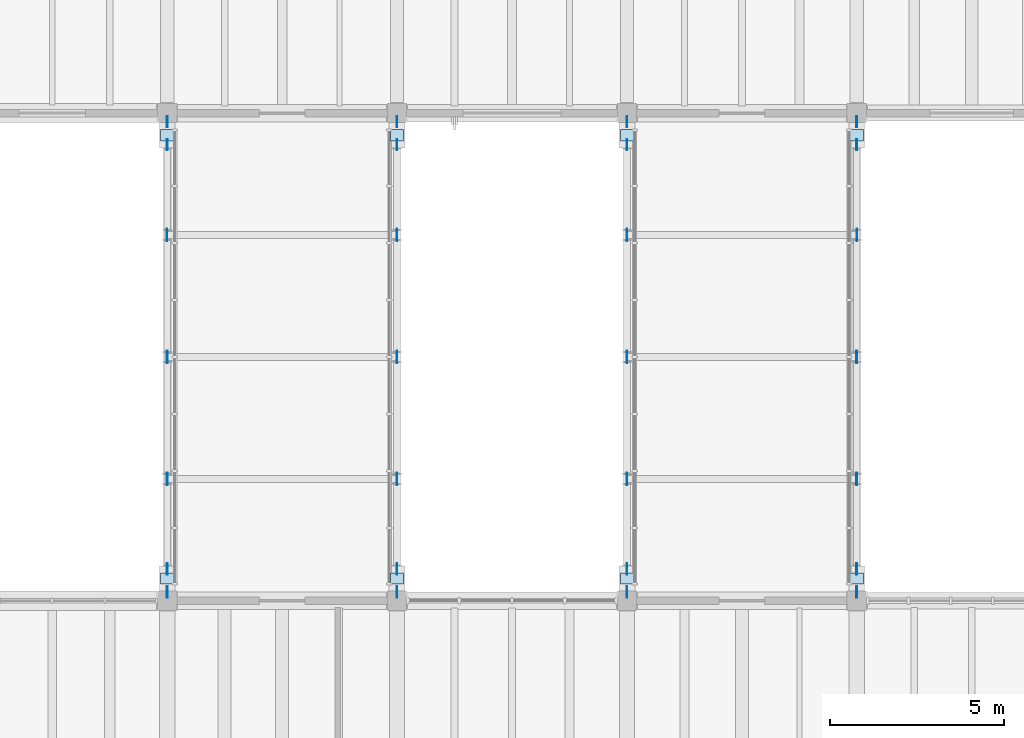
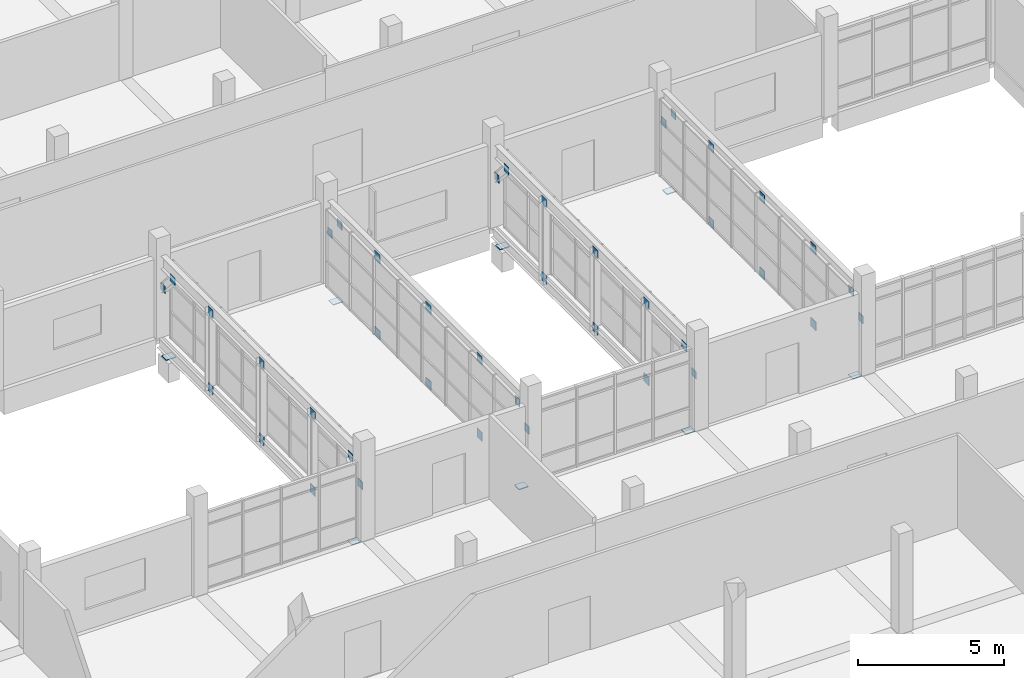
# One storey, part 47 of 67: 48 plates.
"""IFC4 building model written with IfcOpenShell, lengths in metres."""

from ifc_helpers import new_model, si_unit, direction, frame, origin, origin_2d, place, context, subcontext, project, spatial, rectangle, extrude, material, layer, layer_set, type_object, element, save


model = new_model("IFC4")

# Units and contexts
model_context = context("Model", 3, precision=1e-05, world=origin(), true_north=direction((0.0, 1.0)))
body_context = subcontext(model_context, "Body", "Model", "MODEL_VIEW")
ifc_project = project(units=[si_unit("LENGTHUNIT", "METRE"), si_unit("AREAUNIT", "SQUARE_METRE"), si_unit("VOLUMEUNIT", "CUBIC_METRE"), si_unit("PLANEANGLEUNIT", "RADIAN"), si_unit("MASSUNIT", "GRAM", prefix="KILO")], contexts=[model_context])

# Site, building, storey
site_placement = place(None, origin())
site = spatial("IfcSite", under=ifc_project, at=site_placement, CompositionType="ELEMENT")
building_placement = place(site_placement, origin())
building = spatial("IfcBuilding", under=site, at=building_placement, Name="Ciguamira Faculty of Natural Sciences", CompositionType="ELEMENT")
storey_placement = place(building_placement, frame((0.0, 0.0, 8.39990234375)))
storey = spatial("IfcBuildingStorey", under=building, at=storey_placement, Name="L02", CompositionType="ELEMENT", Elevation=8.39990234375)

# Plates
ifc_material = material(Name="Steel ASTM A572 Grade 50", Category="steel")
ifc_layer_1 = layer(ifc_material, 0.01611328125, Name="Steel ASTM A572 Grade 50")
ifc_layer_set_1 = layer_set([ifc_layer_1], Name="Steel ASTM A572 Grade 50")
plate_type_1 = type_object("IfcPlateType", Name="GussetPlate_EP-01", PredefinedType="SHEET", material=ifc_layer_set_1)
for number, where, z_axis, x_axis, name in (
    (1, (77.10009765625, 69.5, -0.3701171875), (0.0, 0.0, 1.0), (1.0, 0.0, 0.0), "Link bridge BR-1 bot gusset node plate 1-4"),
    (2, (77.10009765625, 69.5, 2.81005859375), (0.0, 0.0, 1.0), (1.0, 0.0, 0.0), "Link bridge BR-1 top gusset node plate 1-4"),
    (3, (83.699951171875, 69.5, -0.3701171875), (0.0, 0.0, 1.0), (1.0, 0.0, 0.0), "Link bridge BR-1 bot gusset node plate 2-4"),
    (4, (83.699951171875, 69.5, 2.81005859375), (0.0, 0.0, 1.0), (1.0, 0.0, 0.0), "Link bridge BR-1 top gusset node plate 2-4"),
    (5, (90.300048828125, 69.5, -0.3701171875), (0.0, 0.0, 1.0), (1.0, 0.0, 0.0), "Link bridge BR-2 bot gusset node plate 1-4"),
    (6, (90.300048828125, 69.5, 2.81005859375), (0.0, 0.0, 1.0), (1.0, 0.0, 0.0), "Link bridge BR-2 top gusset node plate 1-4"),
    (7, (96.89990234375, 69.5, -0.3701171875), (0.0, 0.0, 1.0), (1.0, 0.0, 0.0), "Link bridge BR-2 bot gusset node plate 2-4"),
    (8, (96.89990234375, 69.5, 2.81005859375), (0.0, 0.0, 1.0), (1.0, 0.0, 0.0), "Link bridge BR-2 top gusset node plate 2-4"),
):
    element("IfcPlate", number, at=place(storey_placement, frame(where, z_axis=z_axis, x_axis=x_axis)), inside=storey, type_object=plate_type_1, Name=name, PredefinedType="SHEET", context=body_context, shape_type="SweptSolid", body=[
        extrude(rectangle(XDim=0.01611328125, YDim=0.360107421875, at=origin_2d()), origin(), (0.0, 0.0, 1.0), 0.360107421875),
    ])
ifc_layer_2 = layer(ifc_material, 0.02001953125, Name="Steel ASTM A572 Grade 50")
ifc_layer_set_2 = layer_set([ifc_layer_2], Name="Steel ASTM A572 Grade 50")
plate_type_2 = type_object("IfcPlateType", Name="GussetPlate_EP-02", PredefinedType="SHEET", material=ifc_layer_set_2)
for number, where, z_axis, x_axis, name in (
    (9, (77.10009765625, 62.5, -0.3701171875), (0.0, 0.0, 1.0), (1.0, 0.0, 0.0), "Link bridge BR-1 bot gusset node plate 1-2"),
    (10, (77.10009765625, 62.5, 2.81005859375), (0.0, 0.0, 1.0), (1.0, 0.0, 0.0), "Link bridge BR-1 top gusset node plate 1-2"),
    (11, (83.699951171875, 62.5, -0.3701171875), (0.0, 0.0, 1.0), (1.0, 0.0, 0.0), "Link bridge BR-1 bot gusset node plate 2-2"),
    (12, (83.699951171875, 62.5, 2.81005859375), (0.0, 0.0, 1.0), (1.0, 0.0, 0.0), "Link bridge BR-1 top gusset node plate 2-2"),
    (13, (90.300048828125, 62.5, -0.3701171875), (0.0, 0.0, 1.0), (1.0, 0.0, 0.0), "Link bridge BR-2 bot gusset node plate 1-2"),
    (14, (90.300048828125, 62.5, 2.81005859375), (0.0, 0.0, 1.0), (1.0, 0.0, 0.0), "Link bridge BR-2 top gusset node plate 1-2"),
    (15, (96.89990234375, 62.5, -0.3701171875), (0.0, 0.0, 1.0), (1.0, 0.0, 0.0), "Link bridge BR-2 bot gusset node plate 2-2"),
    (16, (96.89990234375, 62.5, 2.81005859375), (0.0, 0.0, 1.0), (1.0, 0.0, 0.0), "Link bridge BR-2 top gusset node plate 2-2"),
):
    element("IfcPlate", number, at=place(storey_placement, frame(where, z_axis=z_axis, x_axis=x_axis)), inside=storey, type_object=plate_type_2, Name=name, PredefinedType="SHEET", context=body_context, shape_type="SweptSolid", body=[
        extrude(rectangle(XDim=0.02001953125, YDim=0.360107421875, at=origin_2d()), origin(), (0.0, 0.0, 1.0), 0.360107421875),
    ])
for number, where, z_axis, x_axis, name in (
    (17, (77.10009765625, 59.25, 1.87451171875), (0.0, 0.0, 1.0), (1.0, 0.0, 0.0), "Link bridge BR-3 s corbel strut plate 1-1"),
    (18, (77.10009765625, 59.909912109375, 2.62451171875), (0.0, 0.0, 1.0), (1.0, 0.0, 0.0), "Link bridge BR-3 s corbel strut plate 1-2"),
    (19, (77.10009765625, 72.75, 1.87451171875), (0.0, 0.0, 1.0), (1.0, 0.0, 0.0), "Link bridge BR-3 n corbel strut plate 1-1"),
    (20, (77.10009765625, 72.090087890625, 2.62451171875), (0.0, 0.0, 1.0), (1.0, 0.0, 0.0), "Link bridge BR-3 n corbel strut plate 1-2"),
    (21, (83.699951171875, 59.25, 1.87451171875), (0.0, 0.0, 1.0), (1.0, 0.0, 0.0), "Link bridge BR-3 s corbel strut plate 2-1"),
    (22, (83.699951171875, 59.909912109375, 2.62451171875), (0.0, 0.0, 1.0), (1.0, 0.0, 0.0), "Link bridge BR-3 s corbel strut plate 2-2"),
    (23, (83.699951171875, 72.75, 1.87451171875), (0.0, 0.0, 1.0), (1.0, 0.0, 0.0), "Link bridge BR-3 n corbel strut plate 2-1"),
    (24, (83.699951171875, 72.090087890625, 2.62451171875), (0.0, 0.0, 1.0), (1.0, 0.0, 0.0), "Link bridge BR-3 n corbel strut plate 2-2"),
    (25, (90.300048828125, 59.25, 1.87451171875), (0.0, 0.0, 1.0), (1.0, 0.0, 0.0), "Link bridge BR-4 s corbel strut plate 1-1"),
    (26, (90.300048828125, 59.909912109375, 2.62451171875), (0.0, 0.0, 1.0), (1.0, 0.0, 0.0), "Link bridge BR-4 s corbel strut plate 1-2"),
    (27, (90.300048828125, 72.75, 1.87451171875), (0.0, 0.0, 1.0), (1.0, 0.0, 0.0), "Link bridge BR-4 n corbel strut plate 1-1"),
    (28, (90.300048828125, 72.090087890625, 2.62451171875), (0.0, 0.0, 1.0), (1.0, 0.0, 0.0), "Link bridge BR-4 n corbel strut plate 1-2"),
    (29, (96.89990234375, 59.25, 1.87451171875), (0.0, 0.0, 1.0), (1.0, 0.0, 0.0), "Link bridge BR-4 s corbel strut plate 2-1"),
    (30, (96.89990234375, 59.909912109375, 2.62451171875), (0.0, 0.0, 1.0), (1.0, 0.0, 0.0), "Link bridge BR-4 s corbel strut plate 2-2"),
    (31, (96.89990234375, 72.75, 1.87451171875), (0.0, 0.0, 1.0), (1.0, 0.0, 0.0), "Link bridge BR-4 n corbel strut plate 2-1"),
    (32, (96.89990234375, 72.090087890625, 2.62451171875), (0.0, 0.0, 1.0), (1.0, 0.0, 0.0), "Link bridge BR-4 n corbel strut plate 2-2"),
):
    element("IfcPlate", number, at=place(storey_placement, frame(where, z_axis=z_axis, x_axis=x_axis)), inside=storey, type_object=plate_type_2, Name=name, PredefinedType="SHEET", context=body_context, shape_type="SweptSolid", body=[
        extrude(rectangle(XDim=0.02001953125, YDim=0.320068359375, at=origin_2d()), origin(), (0.0, 0.0, 1.0), 0.320068359375),
    ])
ifc_layer_3 = layer(ifc_material, 0.02490234375, Name="Steel ASTM A572 Grade 50")
ifc_layer_set_3 = layer_set([ifc_layer_3], Name="Steel ASTM A572 Grade 50")
plate_type_3 = type_object("IfcPlateType", Name="GussetPlate_EP-03", PredefinedType="SHEET", material=ifc_layer_set_3)
for number, where, z_axis, x_axis, name in (
    (33, (77.10009765625, 66.0, -0.3701171875), (0.0, 0.0, 1.0), (1.0, 0.0, 0.0), "Link bridge BR-1 bot gusset node plate 1-3"),
    (34, (77.10009765625, 66.0, 2.81005859375), (0.0, 0.0, 1.0), (1.0, 0.0, 0.0), "Link bridge BR-1 top gusset node plate 1-3"),
    (35, (83.699951171875, 66.0, -0.3701171875), (0.0, 0.0, 1.0), (1.0, 0.0, 0.0), "Link bridge BR-1 bot gusset node plate 2-3"),
    (36, (83.699951171875, 66.0, 2.81005859375), (0.0, 0.0, 1.0), (1.0, 0.0, 0.0), "Link bridge BR-1 top gusset node plate 2-3"),
    (37, (90.300048828125, 66.0, -0.3701171875), (0.0, 0.0, 1.0), (1.0, 0.0, 0.0), "Link bridge BR-2 bot gusset node plate 1-3"),
    (38, (90.300048828125, 66.0, 2.81005859375), (0.0, 0.0, 1.0), (1.0, 0.0, 0.0), "Link bridge BR-2 top gusset node plate 1-3"),
    (39, (96.89990234375, 66.0, -0.3701171875), (0.0, 0.0, 1.0), (1.0, 0.0, 0.0), "Link bridge BR-2 bot gusset node plate 2-3"),
    (40, (96.89990234375, 66.0, 2.81005859375), (0.0, 0.0, 1.0), (1.0, 0.0, 0.0), "Link bridge BR-2 top gusset node plate 2-3"),
):
    element("IfcPlate", number, at=place(storey_placement, frame(where, z_axis=z_axis, x_axis=x_axis)), inside=storey, type_object=plate_type_3, Name=name, PredefinedType="SHEET", context=body_context, shape_type="SweptSolid", body=[
        extrude(rectangle(XDim=0.02490234375, YDim=0.360107421875, at=origin_2d()), origin(), (0.0, 0.0, 1.0), 0.360107421875),
    ])
ifc_layer_4 = layer(ifc_material, 0.031982421875, Name="Steel ASTM A572 Grade 50")
ifc_layer_set_4 = layer_set([ifc_layer_4], Name="Steel ASTM A572 Grade 50")
plate_type_4 = type_object("IfcPlateType", Name="GussetPlate_EP-04", PredefinedType="SHEET", material=ifc_layer_set_4)
for number, where, z_axis, x_axis, name in (
    (41, (77.10009765625, 72.364990234375, -0.61572265625), (0.0, 0.0, 1.0), (1.0, 0.0, 0.0), "Link bridge BR-1 PTFE slide bearing plate 1"),
    (42, (77.10009765625, 59.635009765625, -0.61572265625), (0.0, 0.0, 1.0), (1.0, 0.0, 0.0), "Link bridge BR-1 fixed south bearing plate 1"),
    (43, (83.699951171875, 72.364990234375, -0.61572265625), (0.0, 0.0, 1.0), (1.0, 0.0, 0.0), "Link bridge BR-1 PTFE slide bearing plate 2"),
    (44, (83.699951171875, 59.635009765625, -0.61572265625), (0.0, 0.0, 1.0), (1.0, 0.0, 0.0), "Link bridge BR-1 fixed south bearing plate 2"),
    (45, (90.300048828125, 72.364990234375, -0.61572265625), (0.0, 0.0, 1.0), (1.0, 0.0, 0.0), "Link bridge BR-2 PTFE slide bearing plate 1"),
    (46, (90.300048828125, 59.635009765625, -0.61572265625), (0.0, 0.0, 1.0), (1.0, 0.0, 0.0), "Link bridge BR-2 fixed south bearing plate 1"),
    (47, (96.89990234375, 72.364990234375, -0.61572265625), (0.0, 0.0, 1.0), (1.0, 0.0, 0.0), "Link bridge BR-2 PTFE slide bearing plate 2"),
    (48, (96.89990234375, 59.635009765625, -0.61572265625), (0.0, 0.0, 1.0), (1.0, 0.0, 0.0), "Link bridge BR-2 fixed south bearing plate 2"),
):
    element("IfcPlate", number, at=place(storey_placement, frame(where, z_axis=z_axis, x_axis=x_axis)), inside=storey, type_object=plate_type_4, Name=name, PredefinedType="SHEET", context=body_context, shape_type="SweptSolid", body=[
        extrude(rectangle(XDim=0.3798828125, YDim=0.320068359375, at=origin_2d()), origin(), (0.0, 0.0, 1.0), 0.031982421875),
    ])

save(model, "model.ifc")
